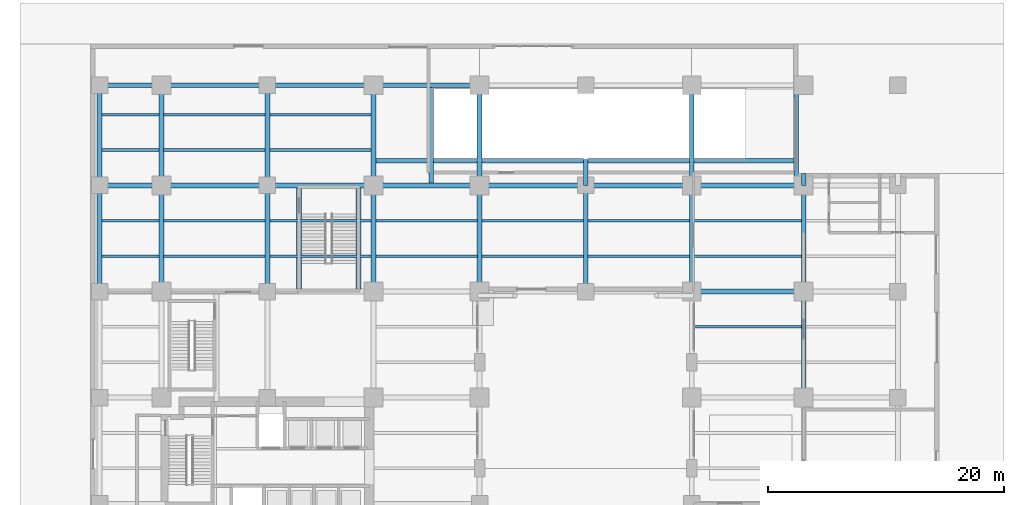
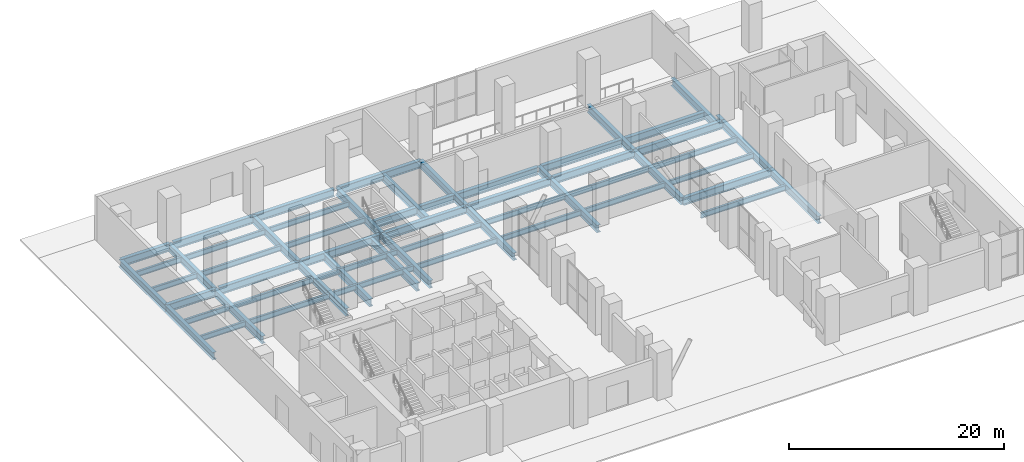
# One storey, part 5 of 17: 58 beams.
"""IFC4 building model written with IfcOpenShell, lengths in metres."""

import ifcopenshell
import ifcopenshell.guid

model = None  # the IFC model being written
_history = None  # IfcOwnerHistory: only IFC2X3 demands one
_inside = {}  # id of a spatial element -> (the spatial element, [elements in it])
_under = {}  # id of a project, library or spatial element -> (it, [spatial elements below it])
_declared = {}  # id of a project -> (the project, [libraries it declares])
_typed = {}  # id of a type object -> (the type object, [elements of that type])
_made_of = {}  # id of a material, layer set ... -> (it, [elements and type objects made of it])


def new_model(schema):
    """Start an empty IFC model of exactly this schema.

    Asked for "IFC4X3", IfcOpenShell would pick the latest addendum, in which some entities
    have other attributes; the version numbers below select the first issue.
    IFC2X3 requires an IfcOwnerHistory on every rooted entity: one is made here for all.
    """
    global model, _history
    if schema == "IFC4X3":
        model = ifcopenshell.file(schema_version=(4, 3, 0, 0))
    else:
        model = ifcopenshell.file(schema=schema)
    _inside.clear()
    _under.clear()
    _declared.clear()
    _typed.clear()
    _made_of.clear()
    _history = None
    if model.schema == "IFC2X3":
        org = make("IfcOrganization", Name="unknown")
        user = make(
            "IfcPersonAndOrganization",
            ThePerson=make("IfcPerson", FamilyName="unknown"),
            TheOrganization=org,
        )
        app = make(
            "IfcApplication",
            ApplicationDeveloper=org,
            Version="unknown",
            ApplicationFullName="unknown",
            ApplicationIdentifier="unknown",
        )
        _history = make(
            "IfcOwnerHistory",
            OwningUser=user,
            OwningApplication=app,
            ChangeAction="ADDED",
            CreationDate=0,
        )
    return model


def make(cls, **values):
    """One entity of the class cls with the attributes given. An attribute that is None is left unset."""
    return model.create_entity(
        cls, **{name: value for name, value in values.items() if value is not None}
    )


def rooted(cls, **values):
    """An entity with a GlobalId (a new one), such as an element, a storey or a relation."""
    return make(cls, GlobalId=ifcopenshell.guid.new(), OwnerHistory=_history, **values)


def si_unit(unit_type, name, prefix=None):
    """IfcSIUnit, for example si_unit("LENGTHUNIT", "METRE", prefix="MILLI")."""
    return make("IfcSIUnit", UnitType=unit_type, Prefix=prefix, Name=name)


def assignment(units):
    """IfcUnitAssignment: the units of a project."""
    return None if units is None else make("IfcUnitAssignment", Units=units)


def point(xyz):
    """IfcCartesianPoint."""
    return None if xyz is None else make("IfcCartesianPoint", Coordinates=xyz)


def direction(xyz):
    """IfcDirection."""
    return None if xyz is None else make("IfcDirection", DirectionRatios=xyz)


def frame(location, z_axis=None, x_axis=None):
    """IfcAxis2Placement3D, a coordinate frame: its origin and axes. An axis left out is left unset."""
    return make(
        "IfcAxis2Placement3D",
        Location=point(location),
        Axis=direction(z_axis),
        RefDirection=direction(x_axis),
    )


def frame_2d(location, x_axis=None):
    """IfcAxis2Placement2D, a coordinate frame in the plane: its origin and x axis."""
    return make(
        "IfcAxis2Placement2D", Location=point(location), RefDirection=direction(x_axis)
    )


def origin():
    """The frame at (0, 0, 0) with its axes left unset."""
    return frame((0.0, 0.0, 0.0))


def origin_2d():
    """The frame at (0, 0) in the plane with its x axis left unset."""
    return frame_2d((0.0, 0.0))


def place(relative_to, where):
    """IfcLocalPlacement: puts the frame where relative to a parent placement (None: the world)."""
    return make(
        "IfcLocalPlacement", PlacementRelTo=relative_to, RelativePlacement=where
    )


def context(
    kind, dimensions, precision=None, world=None, true_north=None, identifier=None
):
    """IfcGeometricRepresentationContext, for example the 3D "Model" context."""
    return make(
        "IfcGeometricRepresentationContext",
        ContextIdentifier=identifier,
        ContextType=kind,
        CoordinateSpaceDimension=dimensions,
        Precision=precision,
        WorldCoordinateSystem=world,
        TrueNorth=true_north,
    )


def subcontext(parent, identifier, kind, view, scale=None):
    """IfcGeometricRepresentationSubContext, for example "Body" below "Model"."""
    return make(
        "IfcGeometricRepresentationSubContext",
        ContextIdentifier=identifier,
        ContextType=kind,
        ParentContext=parent,
        TargetScale=scale,
        TargetView=view,
    )


def project(units=None, contexts=None):
    """IfcProject with its units and contexts."""
    return rooted(
        "IfcProject",
        Name="project",
        RepresentationContexts=contexts,
        UnitsInContext=assignment(units),
    )


def spatial(cls, under=None, at=None, **own):
    """A site, building, storey or space (cls), placed at a placement, below another one or the project."""
    s = rooted(cls, ObjectPlacement=at, **own)
    if under is not None:
        _under.setdefault(under.id(), (under, []))[1].append(s)
    return s


def profile(cls, at=None, kind="AREA", **sizes):
    """A parametric profile (cls). Its sizes go by their IFC names, for example OverallWidth=200.0."""
    return make(cls, ProfileType=kind, Position=at, **sizes)


def i_section(**sizes):
    """IfcIShapeProfileDef."""
    return profile("IfcIShapeProfileDef", **sizes)


def extrude(swept, where, along, depth):
    """IfcExtrudedAreaSolid: the profile swept, set in the frame where, extruded along a direction by depth."""
    return make(
        "IfcExtrudedAreaSolid",
        SweptArea=swept,
        Position=where,
        ExtrudedDirection=direction(along),
        Depth=depth,
    )


def shape(context_of_items, identifier, shape_type, items):
    """IfcShapeRepresentation: the items that make up one representation, for example the "Body"."""
    return make(
        "IfcShapeRepresentation",
        ContextOfItems=context_of_items,
        RepresentationIdentifier=identifier,
        RepresentationType=shape_type,
        Items=items,
    )


def material(Name=None, Category=None):
    """IfcMaterial."""
    return make("IfcMaterial", Name=Name, Category=Category)


def material_profile(
    of_material, cross_section, Name=None, Category=None, Priority=None
):
    """IfcMaterialProfile: a cross section and its material."""
    return make(
        "IfcMaterialProfile",
        Name=Name,
        Material=of_material,
        Profile=cross_section,
        Priority=Priority,
        Category=Category,
    )


def profile_set(profiles, Name=None, composite=None):
    """IfcMaterialProfileSet."""
    return make(
        "IfcMaterialProfileSet",
        Name=Name,
        MaterialProfiles=profiles,
        CompositeProfile=composite,
    )


def made_of(thing, what):
    """Note that an element or type object is made of a material, layer set ...; save() writes the relation."""
    if what is not None:
        _made_of.setdefault(what.id(), (what, []))[1].append(thing)
    return thing


def type_object(cls, material=None, **own):
    """A type object (cls), such as IfcWallType, which elements share."""
    return made_of(rooted(cls, **own), material)


def element(
    cls,
    number,
    at=None,
    inside=None,
    cuts=None,
    type_object=None,
    material=None,
    context=None,
    identifier="Body",
    shape_type=None,
    held_by="IfcProductDefinitionShape",
    body=None,
    shapes=None,
    **own,
):
    """One element of the class cls, such as IfcWall. Its Tag is "e" and its number.

    at: its placement. inside: the storey or other place that contains it. cuts: it is an
    opening in that element (IfcRelVoidsElement). A single representation is given by context,
    identifier, shape_type and body (its items); several are given by shapes. held_by: the class
    of the entity that holds the representations. save() writes the other relations.
    """
    e = rooted(cls, Tag="e%d" % number, ObjectPlacement=at, **own)
    if body is not None:
        shapes = [shape(context, identifier, shape_type, body)]
    if shapes is not None:
        e.Representation = make(held_by, Representations=shapes)
    if inside is not None:
        _inside.setdefault(inside.id(), (inside, []))[1].append(e)
    if cuts is not None:
        rooted(
            "IfcRelVoidsElement", RelatingBuildingElement=cuts, RelatedOpeningElement=e
        )
    if type_object is not None:
        _typed.setdefault(type_object.id(), (type_object, []))[1].append(e)
    return made_of(e, material)


def aggregate(whole, parts):
    """IfcRelAggregates: a whole, such as a stair, and the parts it consists of."""
    return rooted("IfcRelAggregates", RelatingObject=whole, RelatedObjects=parts)


def save(model, path):
    """Write the relations noted so far, then the file.

    IfcRelAggregates (storeys below a building ...), IfcRelContainedInSpatialStructure (elements
    in a storey), IfcRelDefinesByType, IfcRelAssociatesMaterial and IfcRelDeclares: one each for
    every whole, place, type object, material and project.
    """
    for whole, parts in _under.values():
        aggregate(whole, parts)
    for where, things in _inside.values():
        rooted(
            "IfcRelContainedInSpatialStructure",
            RelatedElements=things,
            RelatingStructure=where,
        )
    for kind, things in _typed.values():
        rooted("IfcRelDefinesByType", RelatedObjects=things, RelatingType=kind)
    for what, things in _made_of.values():
        rooted("IfcRelAssociatesMaterial", RelatedObjects=things, RelatingMaterial=what)
    for by, libraries in _declared.values():
        rooted("IfcRelDeclares", RelatingContext=by, RelatedDefinitions=libraries)
    model.write(path)


model = new_model("IFC4")

# Units and contexts
model_context = context("Model", 3, precision=1e-05, world=origin(), true_north=direction((0.0, 1.0)))
body_context = subcontext(model_context, "Body", "Model", "MODEL_VIEW")
ifc_project = project(units=[si_unit("LENGTHUNIT", "METRE"), si_unit("AREAUNIT", "SQUARE_METRE"), si_unit("VOLUMEUNIT", "CUBIC_METRE"), si_unit("PLANEANGLEUNIT", "RADIAN"), si_unit("MASSUNIT", "GRAM", prefix="KILO")], contexts=[model_context])

# Site, building, storey
site_placement = place(None, origin())
site = spatial("IfcSite", under=ifc_project, at=site_placement, CompositionType="ELEMENT")
building_placement = place(site_placement, origin())
building = spatial("IfcBuilding", under=site, at=building_placement, Name="Mawjdan Bourse Tower", CompositionType="ELEMENT")
storey_placement = place(building_placement, origin())
storey = spatial("IfcBuildingStorey", under=building, at=storey_placement, Name="L00", CompositionType="ELEMENT", Elevation=0.0)

# Beams
ifc_material = material(Name="Structural Steel S355", Category="steel")
ifc_material_profile_1 = material_profile(ifc_material, i_section(OverallWidth=0.39892578125, OverallDepth=0.85595703125, WebThickness=0.018310546875, FlangeThickness=0.029296875, FilletRadius=0.0234375, at=origin_2d()), Name="W33X201")
ifc_profile_set_1 = profile_set([ifc_material_profile_1], Name="Structural Steel S355")
beam_type_1 = type_object("IfcBeamType", Name="GRD-W33X201", PredefinedType="BEAM", material=ifc_profile_set_1)
beam_1_placement = place(storey_placement, frame((24.0, 41.10009765625, -0.72802734375), z_axis=(1.0, 0.0, 0.0), x_axis=(0.0, 1.0, 0.0)))
element("IfcBeam", 1, at=beam_1_placement, inside=storey, type_object=beam_type_1, Name="L00 Ramp Opening South Trimmer 002", PredefinedType="BEAM", context=body_context, shape_type="SweptSolid", body=[
    extrude(i_section(OverallWidth=0.39892578125, OverallDepth=0.85595703125, WebThickness=0.018310546875, FlangeThickness=0.029296875, FilletRadius=0.0234375, at=origin_2d()), origin(), (0.0, 0.0, 1.0), 8.802490234375),
])
for number, where, z_axis, x_axis, name in (
    (2, (33.197509765625, 41.10009765625, -0.72802734375), (1.0, 0.0, 0.0), (0.0, 1.0, 0.0), "L00 Ramp Opening South Trimmer S2"),
    (3, (42.197509765625, 41.10009765625, -0.72802734375), (1.0, 0.0, 0.0), (0.0, 1.0, 0.0), "L00 Ramp Opening South Trimmer S3"),
):
    element("IfcBeam", number, at=place(storey_placement, frame(where, z_axis=z_axis, x_axis=x_axis)), inside=storey, type_object=beam_type_1, Name=name, PredefinedType="BEAM", context=body_context, shape_type="SweptSolid", body=[
        extrude(i_section(OverallWidth=0.39892578125, OverallDepth=0.85595703125, WebThickness=0.018310546875, FlangeThickness=0.029296875, FilletRadius=0.0234375, at=origin_2d()), origin(), (0.0, 0.0, 1.0), 8.60498046875),
    ])
beam_2_placement = place(storey_placement, frame((51.197509765625, 41.10009765625, -0.72802734375), z_axis=(1.0, 0.0, 0.0), x_axis=(0.0, 1.0, 0.0)))
element("IfcBeam", 4, at=beam_2_placement, inside=storey, type_object=beam_type_1, Name="L00 Ramp Opening South Trimmer S4", PredefinedType="BEAM", context=body_context, shape_type="SweptSolid", body=[
    extrude(i_section(OverallWidth=0.39892578125, OverallDepth=0.85595703125, WebThickness=0.018310546875, FlangeThickness=0.029296875, FilletRadius=0.0234375, at=origin_2d()), origin(), (0.0, 0.0, 1.0), 8.485107421875),
])
for number, where, z_axis, x_axis, name in (
    (5, (28.89990234375, 39.197509765625, -0.72802734375), (0.0, 1.0, 0.0), (-1.0, 0.0, 0.0), "L00 Ramp Opening West Trimmer 003"),
    (6, (59.8798828125, 39.197509765625, -0.72802734375), (0.0, 1.0, 0.0), (-1.0, 0.0, 0.0), "L00 Ramp Opening East Trimmer 004"),
):
    element("IfcBeam", number, at=place(storey_placement, frame(where, z_axis=z_axis, x_axis=x_axis)), inside=storey, type_object=beam_type_1, Name=name, PredefinedType="BEAM", context=body_context, shape_type="SweptSolid", body=[
        extrude(i_section(OverallWidth=0.39892578125, OverallDepth=0.85595703125, WebThickness=0.018310546875, FlangeThickness=0.029296875, FilletRadius=0.0234375, at=origin_2d()), origin(), (0.0, 0.0, 1.0), 8.10498046875),
    ])
beam_3_placement = place(storey_placement, frame((0.75, 30.0, -0.72802734375), z_axis=(0.0, 1.0, 0.0), x_axis=(-1.0, 0.0, 0.0)))
element("IfcBeam", 7, at=beam_3_placement, inside=storey, type_object=beam_type_1, Name="L00 West Facade Pier Girder 008", PredefinedType="BEAM", context=body_context, shape_type="SweptSolid", body=[
    extrude(i_section(OverallWidth=0.39892578125, OverallDepth=0.85595703125, WebThickness=0.018310546875, FlangeThickness=0.029296875, FilletRadius=0.0234375, at=origin_2d()), origin(), (0.0, 0.0, 1.0), 9.0),
])
beam_4_placement = place(storey_placement, frame((0.75, 39.0, -0.72802734375), z_axis=(0.0, 1.0, 0.0), x_axis=(-1.0, 0.0, 0.0)))
element("IfcBeam", 8, at=beam_4_placement, inside=storey, type_object=beam_type_1, Name="L00 West Facade Pier Girder 009", PredefinedType="BEAM", context=body_context, shape_type="SweptSolid", body=[
    extrude(i_section(OverallWidth=0.39892578125, OverallDepth=0.85595703125, WebThickness=0.018310546875, FlangeThickness=0.029296875, FilletRadius=0.0234375, at=origin_2d()), origin(), (0.0, 0.0, 1.0), 8.5),
])
for number, where, z_axis, x_axis, name in (
    (9, (17.679931640625, 30.197509765625, -0.72802734375), (0.0, 1.0, 0.0), (-1.0, 0.0, 0.0), "L00 ST4 Stair West Trimmer 011"),
    (10, (22.719970703125, 30.197509765625, -0.72802734375), (0.0, 1.0, 0.0), (-1.0, 0.0, 0.0), "L00 ST4 Stair East Trimmer 012"),
):
    element("IfcBeam", number, at=place(storey_placement, frame(where, z_axis=z_axis, x_axis=x_axis)), inside=storey, type_object=beam_type_1, Name=name, PredefinedType="BEAM", context=body_context, shape_type="SweptSolid", body=[
        extrude(i_section(OverallWidth=0.39892578125, OverallDepth=0.85595703125, WebThickness=0.018310546875, FlangeThickness=0.029296875, FilletRadius=0.0234375, at=origin_2d()), origin(), (0.0, 0.0, 1.0), 8.60498046875),
    ])
beam_5_placement = place(storey_placement, frame((6.0, 30.0, -0.72802734375), z_axis=(0.0, 1.0, 0.0), x_axis=(-1.0, 0.0, 0.0)))
element("IfcBeam", 11, at=beam_5_placement, inside=storey, type_object=beam_type_1, Name="L00 Podium Primary Girder 014", PredefinedType="BEAM", context=body_context, shape_type="SweptSolid", body=[
    extrude(i_section(OverallWidth=0.39892578125, OverallDepth=0.85595703125, WebThickness=0.018310546875, FlangeThickness=0.029296875, FilletRadius=0.0234375, at=origin_2d()), origin(), (0.0, 0.0, 1.0), 9.0),
])
beam_6_placement = place(storey_placement, frame((6.0, 39.0, -0.72802734375), z_axis=(0.0, 1.0, 0.0), x_axis=(-1.0, 0.0, 0.0)))
element("IfcBeam", 12, at=beam_6_placement, inside=storey, type_object=beam_type_1, Name="L00 Podium Primary Girder 015", PredefinedType="BEAM", context=body_context, shape_type="SweptSolid", body=[
    extrude(i_section(OverallWidth=0.39892578125, OverallDepth=0.85595703125, WebThickness=0.018310546875, FlangeThickness=0.029296875, FilletRadius=0.0234375, at=origin_2d()), origin(), (0.0, 0.0, 1.0), 8.5),
])
beam_7_placement = place(storey_placement, frame((15.0, 30.0, -0.72802734375), z_axis=(0.0, 1.0, 0.0), x_axis=(-1.0, 0.0, 0.0)))
element("IfcBeam", 13, at=beam_7_placement, inside=storey, type_object=beam_type_1, Name="L00 Podium Primary Girder 017", PredefinedType="BEAM", context=body_context, shape_type="SweptSolid", body=[
    extrude(i_section(OverallWidth=0.39892578125, OverallDepth=0.85595703125, WebThickness=0.018310546875, FlangeThickness=0.029296875, FilletRadius=0.0234375, at=origin_2d()), origin(), (0.0, 0.0, 1.0), 9.0),
])
beam_8_placement = place(storey_placement, frame((15.0, 39.0, -0.72802734375), z_axis=(0.0, 1.0, 0.0), x_axis=(-1.0, 0.0, 0.0)))
element("IfcBeam", 14, at=beam_8_placement, inside=storey, type_object=beam_type_1, Name="L00 Podium Primary Girder 018", PredefinedType="BEAM", context=body_context, shape_type="SweptSolid", body=[
    extrude(i_section(OverallWidth=0.39892578125, OverallDepth=0.85595703125, WebThickness=0.018310546875, FlangeThickness=0.029296875, FilletRadius=0.0234375, at=origin_2d()), origin(), (0.0, 0.0, 1.0), 8.5),
])
beam_9_placement = place(storey_placement, frame((24.0, 30.0, -0.72802734375), z_axis=(0.0, 1.0, 0.0), x_axis=(-1.0, 0.0, 0.0)))
element("IfcBeam", 15, at=beam_9_placement, inside=storey, type_object=beam_type_1, Name="L00 Podium Primary Girder 020", PredefinedType="BEAM", context=body_context, shape_type="SweptSolid", body=[
    extrude(i_section(OverallWidth=0.39892578125, OverallDepth=0.85595703125, WebThickness=0.018310546875, FlangeThickness=0.029296875, FilletRadius=0.0234375, at=origin_2d()), origin(), (0.0, 0.0, 1.0), 9.0),
])
beam_10_placement = place(storey_placement, frame((24.0, 39.0, -0.72802734375), z_axis=(0.0, 1.0, 0.0), x_axis=(-1.0, 0.0, 0.0)))
element("IfcBeam", 16, at=beam_10_placement, inside=storey, type_object=beam_type_1, Name="L00 Podium Primary Girder 021", PredefinedType="BEAM", context=body_context, shape_type="SweptSolid", body=[
    extrude(i_section(OverallWidth=0.39892578125, OverallDepth=0.85595703125, WebThickness=0.018310546875, FlangeThickness=0.029296875, FilletRadius=0.0234375, at=origin_2d()), origin(), (0.0, 0.0, 1.0), 8.5),
])
beam_11_placement = place(storey_placement, frame((33.0, 30.0, -0.72802734375), z_axis=(0.0, 1.0, 0.0), x_axis=(-1.0, 0.0, 0.0)))
element("IfcBeam", 17, at=beam_11_placement, inside=storey, type_object=beam_type_1, Name="L00 Podium Primary Girder 025", PredefinedType="BEAM", context=body_context, shape_type="SweptSolid", body=[
    extrude(i_section(OverallWidth=0.39892578125, OverallDepth=0.85595703125, WebThickness=0.018310546875, FlangeThickness=0.029296875, FilletRadius=0.0234375, at=origin_2d()), origin(), (0.0, 0.0, 1.0), 9.0),
])
beam_12_placement = place(storey_placement, frame((33.0, 39.0, -0.72802734375), z_axis=(0.0, 1.0, 0.0), x_axis=(-1.0, 0.0, 0.0)))
element("IfcBeam", 18, at=beam_12_placement, inside=storey, type_object=beam_type_1, Name="L00 Podium Primary Girder 026", PredefinedType="BEAM", context=body_context, shape_type="SweptSolid", body=[
    extrude(i_section(OverallWidth=0.39892578125, OverallDepth=0.85595703125, WebThickness=0.018310546875, FlangeThickness=0.029296875, FilletRadius=0.0234375, at=origin_2d()), origin(), (0.0, 0.0, 1.0), 8.5),
])
beam_13_placement = place(storey_placement, frame((42.0, 30.0, -0.72802734375), z_axis=(0.0, 1.0, 0.0), x_axis=(-1.0, 0.0, 0.0)))
element("IfcBeam", 19, at=beam_13_placement, inside=storey, type_object=beam_type_1, Name="L00 Podium Primary Girder 027", PredefinedType="BEAM", context=body_context, shape_type="SweptSolid", body=[
    extrude(i_section(OverallWidth=0.39892578125, OverallDepth=0.85595703125, WebThickness=0.018310546875, FlangeThickness=0.029296875, FilletRadius=0.0234375, at=origin_2d()), origin(), (0.0, 0.0, 1.0), 9.0),
])
beam_14_placement = place(storey_placement, frame((42.0, 39.0, -0.72802734375), z_axis=(0.0, 1.0, 0.0), x_axis=(-1.0, 0.0, 0.0)))
element("IfcBeam", 20, at=beam_14_placement, inside=storey, type_object=beam_type_1, Name="L00 Podium Primary Girder 028", PredefinedType="BEAM", context=body_context, shape_type="SweptSolid", body=[
    extrude(i_section(OverallWidth=0.39892578125, OverallDepth=0.85595703125, WebThickness=0.018310546875, FlangeThickness=0.029296875, FilletRadius=0.0234375, at=origin_2d()), origin(), (0.0, 0.0, 1.0), 2.199951171875),
])
beam_15_placement = place(storey_placement, frame((51.0, 30.0, -0.72802734375), z_axis=(0.0, 1.0, 0.0), x_axis=(-1.0, 0.0, 0.0)))
element("IfcBeam", 21, at=beam_15_placement, inside=storey, type_object=beam_type_1, Name="L00 Podium Primary Girder 032", PredefinedType="BEAM", context=body_context, shape_type="SweptSolid", body=[
    extrude(i_section(OverallWidth=0.39892578125, OverallDepth=0.85595703125, WebThickness=0.018310546875, FlangeThickness=0.029296875, FilletRadius=0.0234375, at=origin_2d()), origin(), (0.0, 0.0, 1.0), 9.0),
])
beam_16_placement = place(storey_placement, frame((51.0, 39.0, -0.72802734375), z_axis=(0.0, 1.0, 0.0), x_axis=(-1.0, 0.0, 0.0)))
element("IfcBeam", 22, at=beam_16_placement, inside=storey, type_object=beam_type_1, Name="L00 Podium Primary Girder 033", PredefinedType="BEAM", context=body_context, shape_type="SweptSolid", body=[
    extrude(i_section(OverallWidth=0.39892578125, OverallDepth=0.85595703125, WebThickness=0.018310546875, FlangeThickness=0.029296875, FilletRadius=0.0234375, at=origin_2d()), origin(), (0.0, 0.0, 1.0), 8.5),
])
for number, where, z_axis, x_axis, name in (
    (23, (60.5, 21.0, -0.72802734375), (0.0, 1.0, 0.0), (-1.0, 0.0, 0.0), "L00 Podium Primary Girder 036"),
    (24, (60.5, 30.0, -0.72802734375), (0.0, 1.0, 0.0), (-1.0, 0.0, 0.0), "L00 Podium Primary Girder 037"),
):
    element("IfcBeam", number, at=place(storey_placement, frame(where, z_axis=z_axis, x_axis=x_axis)), inside=storey, type_object=beam_type_1, Name=name, PredefinedType="BEAM", context=body_context, shape_type="SweptSolid", body=[
        extrude(i_section(OverallWidth=0.39892578125, OverallDepth=0.85595703125, WebThickness=0.018310546875, FlangeThickness=0.029296875, FilletRadius=0.0234375, at=origin_2d()), origin(), (0.0, 0.0, 1.0), 9.0),
    ])
beam_17_placement = place(storey_placement, frame((60.5, 39.0, -0.72802734375), z_axis=(0.0, 1.0, 0.0), x_axis=(-1.0, 0.0, 0.0)))
element("IfcBeam", 25, at=beam_17_placement, inside=storey, type_object=beam_type_1, Name="L00 Podium Primary Girder 038", PredefinedType="BEAM", context=body_context, shape_type="SweptSolid", body=[
    extrude(i_section(OverallWidth=0.39892578125, OverallDepth=0.85595703125, WebThickness=0.018310546875, FlangeThickness=0.029296875, FilletRadius=0.0234375, at=origin_2d()), origin(), (0.0, 0.0, 1.0), 1.0),
])
beam_18_placement = place(storey_placement, frame((51.0, 30.0, -0.72802734375), z_axis=(1.0, 0.0, 0.0), x_axis=(0.0, 1.0, 0.0)))
element("IfcBeam", 26, at=beam_18_placement, inside=storey, type_object=beam_type_1, Name="L00 Podium Tie Girder 062", PredefinedType="BEAM", context=body_context, shape_type="SweptSolid", body=[
    extrude(i_section(OverallWidth=0.39892578125, OverallDepth=0.85595703125, WebThickness=0.018310546875, FlangeThickness=0.029296875, FilletRadius=0.0234375, at=origin_2d()), origin(), (0.0, 0.0, 1.0), 9.5),
])
beam_19_placement = place(storey_placement, frame((0.75, 39.0, -0.72802734375), z_axis=(1.0, 0.0, 0.0), x_axis=(0.0, 1.0, 0.0)))
element("IfcBeam", 27, at=beam_19_placement, inside=storey, type_object=beam_type_1, Name="L00 Podium Tie Girder 064", PredefinedType="BEAM", context=body_context, shape_type="SweptSolid", body=[
    extrude(i_section(OverallWidth=0.39892578125, OverallDepth=0.85595703125, WebThickness=0.018310546875, FlangeThickness=0.029296875, FilletRadius=0.0234375, at=origin_2d()), origin(), (0.0, 0.0, 1.0), 5.25),
])
for number, where, z_axis, x_axis, name in (
    (28, (6.35009765625, 39.0, -0.72802734375), (1.0, 0.0, 0.0), (0.0, 1.0, 0.0), "L00 Podium Tie Girder 065"),
    (29, (15.0, 39.0, -0.72802734375), (1.0, 0.0, 0.0), (0.0, 1.0, 0.0), "L00 Podium Tie Girder 066"),
):
    element("IfcBeam", number, at=place(storey_placement, frame(where, z_axis=z_axis, x_axis=x_axis)), inside=storey, type_object=beam_type_1, Name=name, PredefinedType="BEAM", context=body_context, shape_type="SweptSolid", body=[
        extrude(i_section(OverallWidth=0.39892578125, OverallDepth=0.85595703125, WebThickness=0.018310546875, FlangeThickness=0.029296875, FilletRadius=0.0234375, at=origin_2d()), origin(), (0.0, 0.0, 1.0), 8.64990234375),
    ])
for number, where, z_axis, x_axis, name in (
    (30, (24.0, 39.0, -0.72802734375), (1.0, 0.0, 0.0), (0.0, 1.0, 0.0), "L00 Podium Tie Girder 067"),
    (31, (33.0, 39.0, -0.72802734375), (1.0, 0.0, 0.0), (0.0, 1.0, 0.0), "L00 Podium Tie Girder 068"),
    (32, (42.0, 39.0, -0.72802734375), (1.0, 0.0, 0.0), (0.0, 1.0, 0.0), "L00 Podium Tie Girder 069"),
):
    element("IfcBeam", number, at=place(storey_placement, frame(where, z_axis=z_axis, x_axis=x_axis)), inside=storey, type_object=beam_type_1, Name=name, PredefinedType="BEAM", context=body_context, shape_type="SweptSolid", body=[
        extrude(i_section(OverallWidth=0.39892578125, OverallDepth=0.85595703125, WebThickness=0.018310546875, FlangeThickness=0.029296875, FilletRadius=0.0234375, at=origin_2d()), origin(), (0.0, 0.0, 1.0), 9.0),
    ])
beam_20_placement = place(storey_placement, frame((51.0, 39.0, -0.72802734375), z_axis=(1.0, 0.0, 0.0), x_axis=(0.0, 1.0, 0.0)))
element("IfcBeam", 33, at=beam_20_placement, inside=storey, type_object=beam_type_1, Name="L00 Podium Tie Girder 070", PredefinedType="BEAM", context=body_context, shape_type="SweptSolid", body=[
    extrude(i_section(OverallWidth=0.39892578125, OverallDepth=0.85595703125, WebThickness=0.018310546875, FlangeThickness=0.029296875, FilletRadius=0.0234375, at=origin_2d()), origin(), (0.0, 0.0, 1.0), 9.5),
])
beam_21_placement = place(storey_placement, frame((0.75, 47.5, -0.72802734375), z_axis=(1.0, 0.0, 0.0), x_axis=(0.0, 1.0, 0.0)))
element("IfcBeam", 34, at=beam_21_placement, inside=storey, type_object=beam_type_1, Name="L00 Podium Tie Girder 072", PredefinedType="BEAM", context=body_context, shape_type="SweptSolid", body=[
    extrude(i_section(OverallWidth=0.39892578125, OverallDepth=0.85595703125, WebThickness=0.018310546875, FlangeThickness=0.029296875, FilletRadius=0.0234375, at=origin_2d()), origin(), (0.0, 0.0, 1.0), 5.25),
])
for number, where, z_axis, x_axis, name in (
    (35, (6.35009765625, 47.5, -0.72802734375), (1.0, 0.0, 0.0), (0.0, 1.0, 0.0), "L00 Podium Tie Girder 073"),
    (36, (15.0, 47.5, -0.72802734375), (1.0, 0.0, 0.0), (0.0, 1.0, 0.0), "L00 Podium Tie Girder 074"),
):
    element("IfcBeam", number, at=place(storey_placement, frame(where, z_axis=z_axis, x_axis=x_axis)), inside=storey, type_object=beam_type_1, Name=name, PredefinedType="BEAM", context=body_context, shape_type="SweptSolid", body=[
        extrude(i_section(OverallWidth=0.39892578125, OverallDepth=0.85595703125, WebThickness=0.018310546875, FlangeThickness=0.029296875, FilletRadius=0.0234375, at=origin_2d()), origin(), (0.0, 0.0, 1.0), 8.64990234375),
    ])
beam_22_placement = place(storey_placement, frame((24.0, 47.5, -0.72802734375), z_axis=(1.0, 0.0, 0.0), x_axis=(0.0, 1.0, 0.0)))
element("IfcBeam", 37, at=beam_22_placement, inside=storey, type_object=beam_type_1, Name="L00 Podium Tie Girder 075", PredefinedType="BEAM", context=body_context, shape_type="SweptSolid", body=[
    extrude(i_section(OverallWidth=0.39892578125, OverallDepth=0.85595703125, WebThickness=0.018310546875, FlangeThickness=0.029296875, FilletRadius=0.0234375, at=origin_2d()), origin(), (0.0, 0.0, 1.0), 9.0),
])
ifc_material_profile_2 = material_profile(ifc_material, i_section(OverallWidth=0.22998046875, OverallDepth=0.616943359375, WebThickness=0.01318359375, FlangeThickness=0.022216796875, FilletRadius=0.017822265625, at=origin_2d()), Name="W24X94")
ifc_profile_set_2 = profile_set([ifc_material_profile_2], Name="Structural Steel S355")
beam_type_2 = type_object("IfcBeamType", Name="JST-W24X94", PredefinedType="JOIST", material=ifc_profile_set_2)
beam_23_placement = place(storey_placement, frame((51.197509765625, 27.0, -0.6083984375), z_axis=(1.0, 0.0, 0.0), x_axis=(0.0, 1.0, 0.0)))
element("IfcBeam", 38, at=beam_23_placement, inside=storey, type_object=beam_type_2, Name="L00 Composite Floor Joist 099", PredefinedType="JOIST", context=body_context, shape_type="SweptSolid", body=[
    extrude(i_section(OverallWidth=0.22998046875, OverallDepth=0.616943359375, WebThickness=0.01318359375, FlangeThickness=0.022216796875, FilletRadius=0.017822265625, at=origin_2d()), origin(), (0.0, 0.0, 1.0), 9.10498046875),
])
beam_24_placement = place(storey_placement, frame((0.947509765625, 33.0, -0.6083984375), z_axis=(1.0, 0.0, 0.0), x_axis=(0.0, 1.0, 0.0)))
element("IfcBeam", 39, at=beam_24_placement, inside=storey, type_object=beam_type_2, Name="L00 Composite Floor Joist 101", PredefinedType="JOIST", context=body_context, shape_type="SweptSolid", body=[
    extrude(i_section(OverallWidth=0.22998046875, OverallDepth=0.616943359375, WebThickness=0.01318359375, FlangeThickness=0.022216796875, FilletRadius=0.017822265625, at=origin_2d()), origin(), (0.0, 0.0, 1.0), 4.85498046875),
])
for number, where, z_axis, x_axis, name in (
    (40, (6.197509765625, 33.0, -0.6083984375), (1.0, 0.0, 0.0), (0.0, 1.0, 0.0), "L00 Composite Floor Joist 102"),
    (41, (15.197509765625, 33.0, -0.6083984375), (1.0, 0.0, 0.0), (0.0, 1.0, 0.0), "L00 Composite Floor Joist 103"),
    (42, (24.197509765625, 33.0, -0.6083984375), (1.0, 0.0, 0.0), (0.0, 1.0, 0.0), "L00 Composite Floor Joist 104"),
    (43, (33.197509765625, 33.0, -0.6083984375), (1.0, 0.0, 0.0), (0.0, 1.0, 0.0), "L00 Composite Floor Joist 105"),
    (44, (42.197509765625, 33.0, -0.6083984375), (1.0, 0.0, 0.0), (0.0, 1.0, 0.0), "L00 Composite Floor Joist 106"),
):
    element("IfcBeam", number, at=place(storey_placement, frame(where, z_axis=z_axis, x_axis=x_axis)), inside=storey, type_object=beam_type_2, Name=name, PredefinedType="JOIST", context=body_context, shape_type="SweptSolid", body=[
        extrude(i_section(OverallWidth=0.22998046875, OverallDepth=0.616943359375, WebThickness=0.01318359375, FlangeThickness=0.022216796875, FilletRadius=0.017822265625, at=origin_2d()), origin(), (0.0, 0.0, 1.0), 8.60498046875),
    ])
beam_25_placement = place(storey_placement, frame((51.197509765625, 33.0, -0.6083984375), z_axis=(1.0, 0.0, 0.0), x_axis=(0.0, 1.0, 0.0)))
element("IfcBeam", 45, at=beam_25_placement, inside=storey, type_object=beam_type_2, Name="L00 Composite Floor Joist 107", PredefinedType="JOIST", context=body_context, shape_type="SweptSolid", body=[
    extrude(i_section(OverallWidth=0.22998046875, OverallDepth=0.616943359375, WebThickness=0.01318359375, FlangeThickness=0.022216796875, FilletRadius=0.017822265625, at=origin_2d()), origin(), (0.0, 0.0, 1.0), 9.10498046875),
])
beam_26_placement = place(storey_placement, frame((0.947509765625, 36.0, -0.6083984375), z_axis=(1.0, 0.0, 0.0), x_axis=(0.0, 1.0, 0.0)))
element("IfcBeam", 46, at=beam_26_placement, inside=storey, type_object=beam_type_2, Name="L00 Composite Floor Joist 109", PredefinedType="JOIST", context=body_context, shape_type="SweptSolid", body=[
    extrude(i_section(OverallWidth=0.22998046875, OverallDepth=0.616943359375, WebThickness=0.01318359375, FlangeThickness=0.022216796875, FilletRadius=0.017822265625, at=origin_2d()), origin(), (0.0, 0.0, 1.0), 4.85498046875),
])
for number, where, z_axis, x_axis, name in (
    (47, (6.197509765625, 36.0, -0.6083984375), (1.0, 0.0, 0.0), (0.0, 1.0, 0.0), "L00 Composite Floor Joist 110"),
    (48, (15.197509765625, 36.0, -0.6083984375), (1.0, 0.0, 0.0), (0.0, 1.0, 0.0), "L00 Composite Floor Joist 111"),
    (49, (24.197509765625, 36.0, -0.6083984375), (1.0, 0.0, 0.0), (0.0, 1.0, 0.0), "L00 Composite Floor Joist 112"),
    (50, (33.197509765625, 36.0, -0.6083984375), (1.0, 0.0, 0.0), (0.0, 1.0, 0.0), "L00 Composite Floor Joist 113"),
    (51, (42.197509765625, 36.0, -0.6083984375), (1.0, 0.0, 0.0), (0.0, 1.0, 0.0), "L00 Composite Floor Joist 114"),
):
    element("IfcBeam", number, at=place(storey_placement, frame(where, z_axis=z_axis, x_axis=x_axis)), inside=storey, type_object=beam_type_2, Name=name, PredefinedType="JOIST", context=body_context, shape_type="SweptSolid", body=[
        extrude(i_section(OverallWidth=0.22998046875, OverallDepth=0.616943359375, WebThickness=0.01318359375, FlangeThickness=0.022216796875, FilletRadius=0.017822265625, at=origin_2d()), origin(), (0.0, 0.0, 1.0), 8.60498046875),
    ])
beam_27_placement = place(storey_placement, frame((51.197509765625, 36.0, -0.6083984375), z_axis=(1.0, 0.0, 0.0), x_axis=(0.0, 1.0, 0.0)))
element("IfcBeam", 52, at=beam_27_placement, inside=storey, type_object=beam_type_2, Name="L00 Composite Floor Joist 115", PredefinedType="JOIST", context=body_context, shape_type="SweptSolid", body=[
    extrude(i_section(OverallWidth=0.22998046875, OverallDepth=0.616943359375, WebThickness=0.01318359375, FlangeThickness=0.022216796875, FilletRadius=0.017822265625, at=origin_2d()), origin(), (0.0, 0.0, 1.0), 9.10498046875),
])
beam_28_placement = place(storey_placement, frame((0.947509765625, 42.0, -0.6083984375), z_axis=(1.0, 0.0, 0.0), x_axis=(0.0, 1.0, 0.0)))
element("IfcBeam", 53, at=beam_28_placement, inside=storey, type_object=beam_type_2, Name="L00 Composite Floor Joist 117", PredefinedType="JOIST", context=body_context, shape_type="SweptSolid", body=[
    extrude(i_section(OverallWidth=0.22998046875, OverallDepth=0.616943359375, WebThickness=0.01318359375, FlangeThickness=0.022216796875, FilletRadius=0.017822265625, at=origin_2d()), origin(), (0.0, 0.0, 1.0), 4.85498046875),
])
for number, where, z_axis, x_axis, name in (
    (54, (6.197509765625, 42.0, -0.6083984375), (1.0, 0.0, 0.0), (0.0, 1.0, 0.0), "L00 Composite Floor Joist 118"),
    (55, (15.197509765625, 42.0, -0.6083984375), (1.0, 0.0, 0.0), (0.0, 1.0, 0.0), "L00 Composite Floor Joist 119"),
):
    element("IfcBeam", number, at=place(storey_placement, frame(where, z_axis=z_axis, x_axis=x_axis)), inside=storey, type_object=beam_type_2, Name=name, PredefinedType="JOIST", context=body_context, shape_type="SweptSolid", body=[
        extrude(i_section(OverallWidth=0.22998046875, OverallDepth=0.616943359375, WebThickness=0.01318359375, FlangeThickness=0.022216796875, FilletRadius=0.017822265625, at=origin_2d()), origin(), (0.0, 0.0, 1.0), 8.60498046875),
    ])
beam_29_placement = place(storey_placement, frame((0.947509765625, 45.0, -0.6083984375), z_axis=(1.0, 0.0, 0.0), x_axis=(0.0, 1.0, 0.0)))
element("IfcBeam", 56, at=beam_29_placement, inside=storey, type_object=beam_type_2, Name="L00 Composite Floor Joist 120", PredefinedType="JOIST", context=body_context, shape_type="SweptSolid", body=[
    extrude(i_section(OverallWidth=0.22998046875, OverallDepth=0.616943359375, WebThickness=0.01318359375, FlangeThickness=0.022216796875, FilletRadius=0.017822265625, at=origin_2d()), origin(), (0.0, 0.0, 1.0), 4.85498046875),
])
for number, where, z_axis, x_axis, name in (
    (57, (6.197509765625, 45.0, -0.6083984375), (1.0, 0.0, 0.0), (0.0, 1.0, 0.0), "L00 Composite Floor Joist 121"),
    (58, (15.197509765625, 45.0, -0.6083984375), (1.0, 0.0, 0.0), (0.0, 1.0, 0.0), "L00 Composite Floor Joist 122"),
):
    element("IfcBeam", number, at=place(storey_placement, frame(where, z_axis=z_axis, x_axis=x_axis)), inside=storey, type_object=beam_type_2, Name=name, PredefinedType="JOIST", context=body_context, shape_type="SweptSolid", body=[
        extrude(i_section(OverallWidth=0.22998046875, OverallDepth=0.616943359375, WebThickness=0.01318359375, FlangeThickness=0.022216796875, FilletRadius=0.017822265625, at=origin_2d()), origin(), (0.0, 0.0, 1.0), 8.60498046875),
    ])

save(model, "model.ifc")
